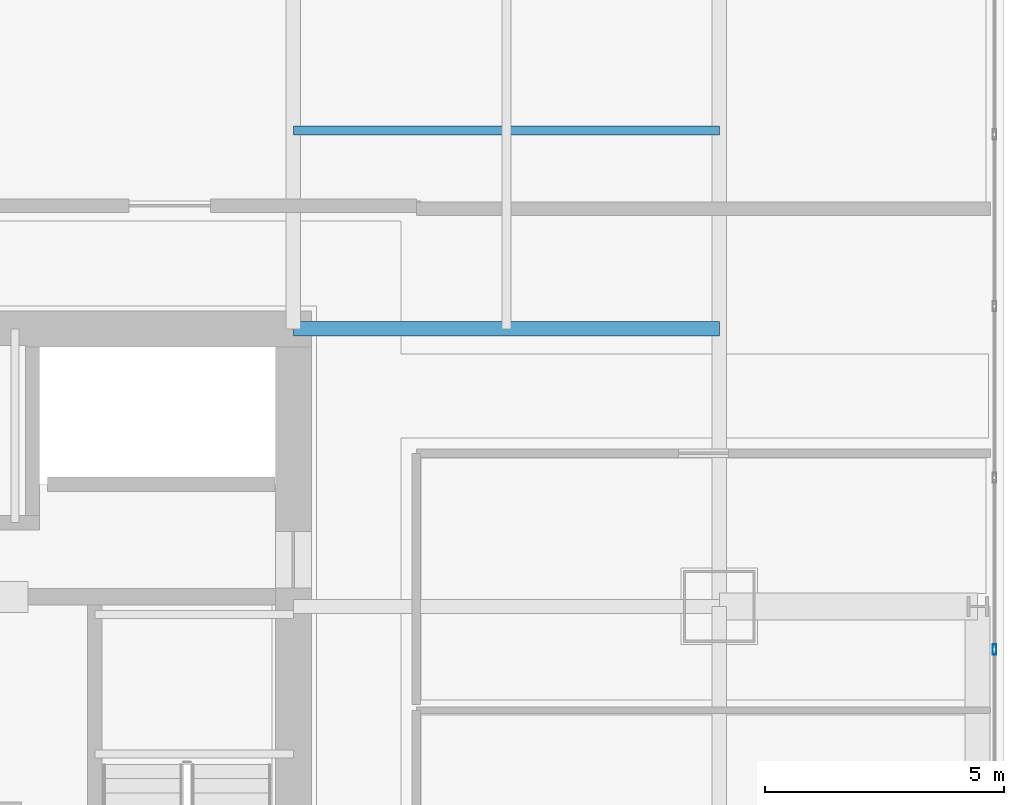
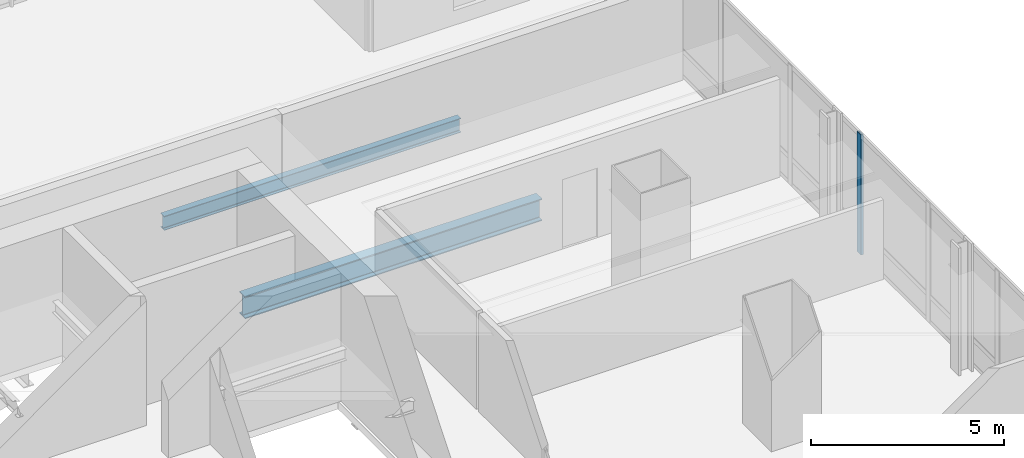
# One storey, part 18 of 35: 2 beams, 1 member, 1 element without a shape of its own.
"""IFC4 building model written with IfcOpenShell, lengths in metres."""

from ifc_helpers import new_model, si_unit, direction, frame, origin, origin_2d, place, context, subcontext, project, spatial, hollow_rectangle, i_section, extrude, material, material_profile, profile_set, type_object, element, aggregate, save


model = new_model("IFC4")

# Units and contexts
model_context = context("Model", 3, precision=1e-05, world=origin(), true_north=direction((0.0, 1.0)))
body_context = subcontext(model_context, "Body", "Model", "MODEL_VIEW")
ifc_project = project(units=[si_unit("LENGTHUNIT", "METRE"), si_unit("AREAUNIT", "SQUARE_METRE"), si_unit("VOLUMEUNIT", "CUBIC_METRE"), si_unit("PLANEANGLEUNIT", "RADIAN"), si_unit("MASSUNIT", "GRAM", prefix="KILO")], contexts=[model_context])

# Site, building, storey
site_placement = place(None, origin())
site = spatial("IfcSite", under=ifc_project, at=site_placement, CompositionType="ELEMENT")
building_placement = place(site_placement, origin())
building = spatial("IfcBuilding", under=site, at=building_placement, Name="Punatoya Terracotta Tower", CompositionType="ELEMENT")
storey_placement = place(building_placement, frame((0.0, 0.0, 113.25)))
storey = spatial("IfcBuildingStorey", under=building, at=storey_placement, Name="L26", CompositionType="ELEMENT", Elevation=113.25)

# Beams
ifc_material_1 = material(Name="Steel S355", Category="steel")
ifc_material_profile_1 = material_profile(ifc_material_1, i_section(OverallWidth=0.300048828125, OverallDepth=0.699951171875, WebThickness=0.01708984375, FlangeThickness=0.031982421875, FilletRadius=0.01806640625, at=origin_2d()))
ifc_profile_set_1 = profile_set([ifc_material_profile_1], Name="Steel S355")
beam_type_1 = type_object("IfcBeamType", Name="BM-PRI-700", PredefinedType="BEAM", material=ifc_profile_set_1)
beam_1_placement = place(storey_placement, frame((10.199951171875, 9.199951171875, -0.590087890625), z_axis=(1.0, 0.0, 0.0), x_axis=(0.0, 1.0, 0.0)))
element("IfcBeam", 1, at=beam_1_placement, inside=storey, type_object=beam_type_1, Name="BM-L26-PR-EN", PredefinedType="BEAM", context=body_context, shape_type="SweptSolid", body=[
    extrude(i_section(OverallWidth=0.300048828125, OverallDepth=0.699951171875, WebThickness=0.01708984375, FlangeThickness=0.031982421875, FilletRadius=0.01806640625, at=origin_2d()), origin(), (0.0, 0.0, 1.0), 8.900146484375),
])
ifc_material_profile_2 = material_profile(ifc_material_1, i_section(OverallWidth=0.18994140625, OverallDepth=0.449951171875, WebThickness=0.009521484375, FlangeThickness=0.0146484375, FilletRadius=0.01806640625, at=origin_2d()))
ifc_profile_set_2 = profile_set([ifc_material_profile_2], Name="Steel S355")
beam_type_2 = type_object("IfcBeamType", Name="BM-SEC-450", PredefinedType="JOIST", material=ifc_profile_set_2)
beam_2_placement = place(storey_placement, frame((10.199951171875, 13.35009765625, -0.465087890625), z_axis=(1.0, 0.0, 0.0), x_axis=(0.0, 1.0, 0.0)))
element("IfcBeam", 2, at=beam_2_placement, inside=storey, type_object=beam_type_2, Name="BM-L26-SJN-2", PredefinedType="JOIST", context=body_context, shape_type="SweptSolid", body=[
    extrude(i_section(OverallWidth=0.18994140625, OverallDepth=0.449951171875, WebThickness=0.009521484375, FlangeThickness=0.0146484375, FilletRadius=0.01806640625, at=origin_2d()), origin(), (0.0, 0.0, 1.0), 8.900146484375),
])

# Curtain wall, member
ifc_material_2 = material(Name="Aluminium 6063-T6 + Double Low-E Glass", Category="aluminium")
curtain_wall_type = type_object("IfcCurtainWallType", Name="CW-M1", PredefinedType="NOTDEFINED", material=ifc_material_2)
curtain_wall_placement = place(storey_placement, origin())
curtain_wall = element("IfcCurtainWall", 3, at=curtain_wall_placement, inside=storey, type_object=curtain_wall_type, Name="L26 Curtain Wall CW-L26-E05-1", PredefinedType="NOTDEFINED")
ifc_material_3 = material(Name="Aluminium 6063-T6", Category="aluminium")
ifc_material_profile_3 = material_profile(ifc_material_3, hollow_rectangle(XDim=0.074951171875, YDim=0.2099609375, WallThickness=0.00439453125, at=origin_2d()))
ifc_profile_set_3 = profile_set([ifc_material_profile_3], Name="Aluminium 6063-T6")
member_type = type_object("IfcMemberType", Name="CW-MUL-M1", PredefinedType="MULLION", material=ifc_profile_set_3)
member_placement = place(storey_placement, frame((24.85009765625, 2.500244140625, 0.0), z_axis=(0.0, 0.0, 1.0), x_axis=(1.0, 0.0, 0.0)))
member = element("IfcMember", 4, at=member_placement, type_object=member_type, Name="CW-L26-E05-1 Mullion 05", PredefinedType="MULLION", context=body_context, shape_type="SweptSolid", body=[
    extrude(hollow_rectangle(XDim=0.074951171875, YDim=0.2099609375, WallThickness=0.00439453125, at=origin_2d()), origin(), (0.0, 0.0, 1.0), 3.81005859375),
])
aggregate(curtain_wall, [member])

save(model, "model.ifc")
